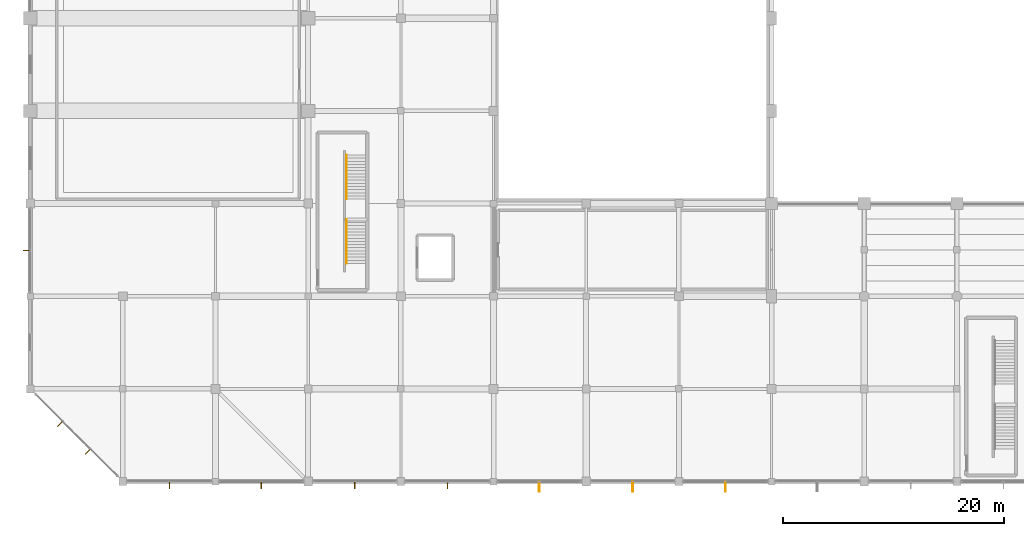
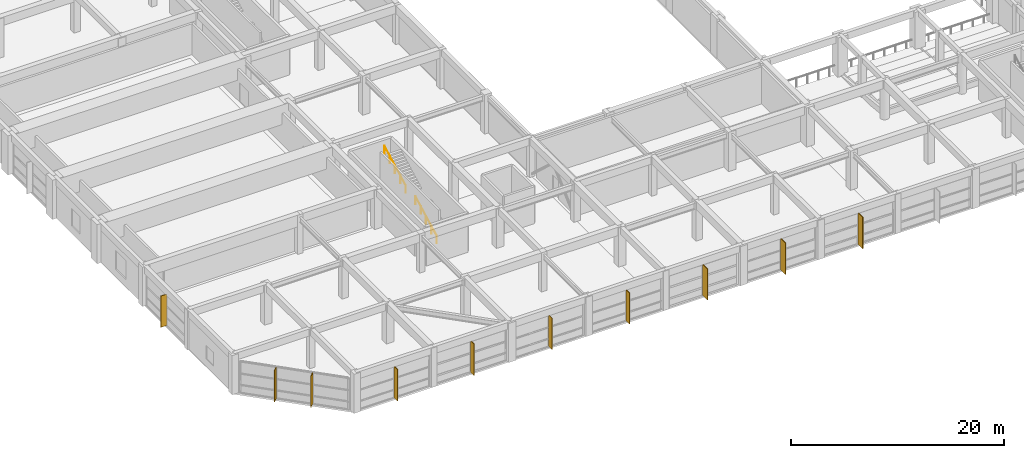
# One storey, part 55 of 62: 10 shading devices, 2 railings.
"""IFC4 building model written with IfcOpenShell, lengths in metres."""

from ifc_helpers import new_model, si_unit, direction, frame, origin, origin_2d, place, context, subcontext, project, spatial, rectangle, circle, extrude, material, type_object, element, save


model = new_model("IFC4")

# Units and contexts
model_context = context("Model", 3, precision=1e-05, world=origin(), true_north=direction((0.0, 1.0)))
body_context = subcontext(model_context, "Body", "Model", "MODEL_VIEW")
ifc_project = project(units=[si_unit("LENGTHUNIT", "METRE"), si_unit("AREAUNIT", "SQUARE_METRE"), si_unit("VOLUMEUNIT", "CUBIC_METRE"), si_unit("PLANEANGLEUNIT", "RADIAN"), si_unit("MASSUNIT", "GRAM", prefix="KILO")], contexts=[model_context])

# Site, building, storey
site_placement = place(None, origin())
site = spatial("IfcSite", under=ifc_project, at=site_placement, CompositionType="ELEMENT")
building_placement = place(site_placement, origin())
building = spatial("IfcBuilding", under=site, at=building_placement, Name="Xuanlan Plaza Opera House", CompositionType="ELEMENT")
storey_placement = place(building_placement, frame((0.0, 0.0, 14.39990234375)))
storey = spatial("IfcBuildingStorey", under=building, at=storey_placement, Name="L03", CompositionType="ELEMENT", Elevation=14.39990234375)

# Shading devices
ifc_material_1 = material(Name="Anodised Aluminium 6063-T6", Category="aluminium")
shading_device_type_1 = type_object("IfcShadingDeviceType", Name="ENV-SHD-BRS01", PredefinedType="JALOUSIE", material=ifc_material_1)
for number, where, z_axis, x_axis, name in (
    (1, (12.625, 16.47509765625, 0.0400390625), (0.0, 0.0, 1.0), (0.0, -1.0, 0.0), "Parametric Sunshade Fin L03-0147"),
    (2, (20.949951171875, 16.47509765625, 0.0400390625), (0.0, 0.0, 1.0), (0.0, -1.0, 0.0), "Parametric Sunshade Fin L03-0148"),
    (3, (29.425048828125, 16.47509765625, 0.0400390625), (0.0, 0.0, 1.0), (0.0, -1.0, 0.0), "Parametric Sunshade Fin L03-0149"),
    (4, (37.824951171875, 16.47509765625, 0.0400390625), (0.0, 0.0, 1.0), (0.0, -1.0, 0.0), "Parametric Sunshade Fin L03-0150"),
    (5, (-0.324951171875, 37.75, 0.0400390625), (0.0, 0.0, 1.0), (-1.0, 0.0, 0.0), "Parametric Sunshade Fin L03-0194"),
    (6, (2.719970703125, 22.0205078125, 0.0400390625), (0.0, 0.0, 1.0), (-0.707106781187, -0.707106781187, 0.0), "Parametric Sunshade Fin L03-0195"),
    (7, (5.220458984375, 19.52001953125, 0.0400390625), (0.0, 0.0, 1.0), (-0.707106781187, -0.707106781187, 0.0), "Parametric Sunshade Fin L03-0196"),
):
    element("IfcShadingDevice", number, at=place(storey_placement, frame(where, z_axis=z_axis, x_axis=x_axis)), inside=storey, type_object=shading_device_type_1, Name=name, PredefinedType="JALOUSIE", context=body_context, shape_type="SweptSolid", body=[
        extrude(rectangle(XDim=0.639892578125, YDim=0.070068359375, at=origin_2d()), origin(), (0.0, 0.0, 1.0), 3.60009765625),
    ])
shading_device_type_2 = type_object("IfcShadingDeviceType", Name="ENV-SHD-BRS02", PredefinedType="JALOUSIE", material=ifc_material_1)
for number, where, z_axis, x_axis, name in (
    (8, (46.14990234375, 16.3349609375, 0.0400390625), (0.0, 0.0, 1.0), (0.0, -1.0, 0.0), "Parametric Sunshade Fin L03-0151"),
    (9, (54.625, 16.3349609375, 0.0400390625), (0.0, 0.0, 1.0), (0.0, -1.0, 0.0), "Parametric Sunshade Fin L03-0152"),
    (10, (63.02490234375, 16.3349609375, 0.0400390625), (0.0, 0.0, 1.0), (0.0, -1.0, 0.0), "Parametric Sunshade Fin L03-0153"),
):
    element("IfcShadingDevice", number, at=place(storey_placement, frame(where, z_axis=z_axis, x_axis=x_axis)), inside=storey, type_object=shading_device_type_2, Name=name, PredefinedType="JALOUSIE", context=body_context, shape_type="SweptSolid", body=[
        extrude(rectangle(XDim=0.919921875, YDim=0.080078125, at=origin_2d()), origin(), (0.0, 0.0, 1.0), 3.60009765625),
    ])

# Railings
ifc_material_2 = material(Name="Stainless Steel S30408", Category="steel")
railing_type = type_object("IfcRailingType", Name="INT-RL-HR01", PredefinedType="HANDRAIL", material=ifc_material_2)
for number, where, name in (
    (11, (28.659912109375, 36.570068359375, 0.150146484375), "Stair Handrail ST-P1 L03 Flight 1"),
    (12, (28.659912109375, 42.409912109375, 2.400146484375), "Stair Handrail ST-P1 L03 Flight 2"),
):
    element("IfcRailing", number, at=place(storey_placement, frame(where)), inside=storey, type_object=railing_type, Name=name, PredefinedType="HANDRAIL", context=body_context, shape_type="SweptSolid", body=[
        extrude(circle(Radius=0.02392578125, at=origin_2d()), frame((0.0, 0.0, 0.8759765625), z_axis=(0.0, 0.884931142248, 0.465721884261), x_axis=(-1.0, 0.0, 0.0)), (0.0, 0.0, 1.0), 4.5087890625),
        extrude(circle(Radius=0.02099609375, at=origin_2d()), origin(), (0.0, 0.0, 1.0), 0.851806640625),
        extrude(circle(Radius=0.02099609375, at=origin_2d()), frame((0.0, 0.99755859375, 0.52490234375)), (0.0, 0.0, 1.0), 0.851806640625),
        extrude(circle(Radius=0.02099609375, at=origin_2d()), frame((0.0, 1.9951171875, 1.0498046875)), (0.0, 0.0, 1.0), 0.851806640625),
        extrude(circle(Radius=0.02099609375, at=origin_2d()), frame((0.0, 2.992431640625, 1.574951171875)), (0.0, 0.0, 1.0), 0.851806640625),
        extrude(circle(Radius=0.02099609375, at=origin_2d()), frame((0.0, 3.989990234375, 2.099853515625)), (0.0, 0.0, 1.0), 0.851806640625),
    ])

save(model, "model.ifc")
